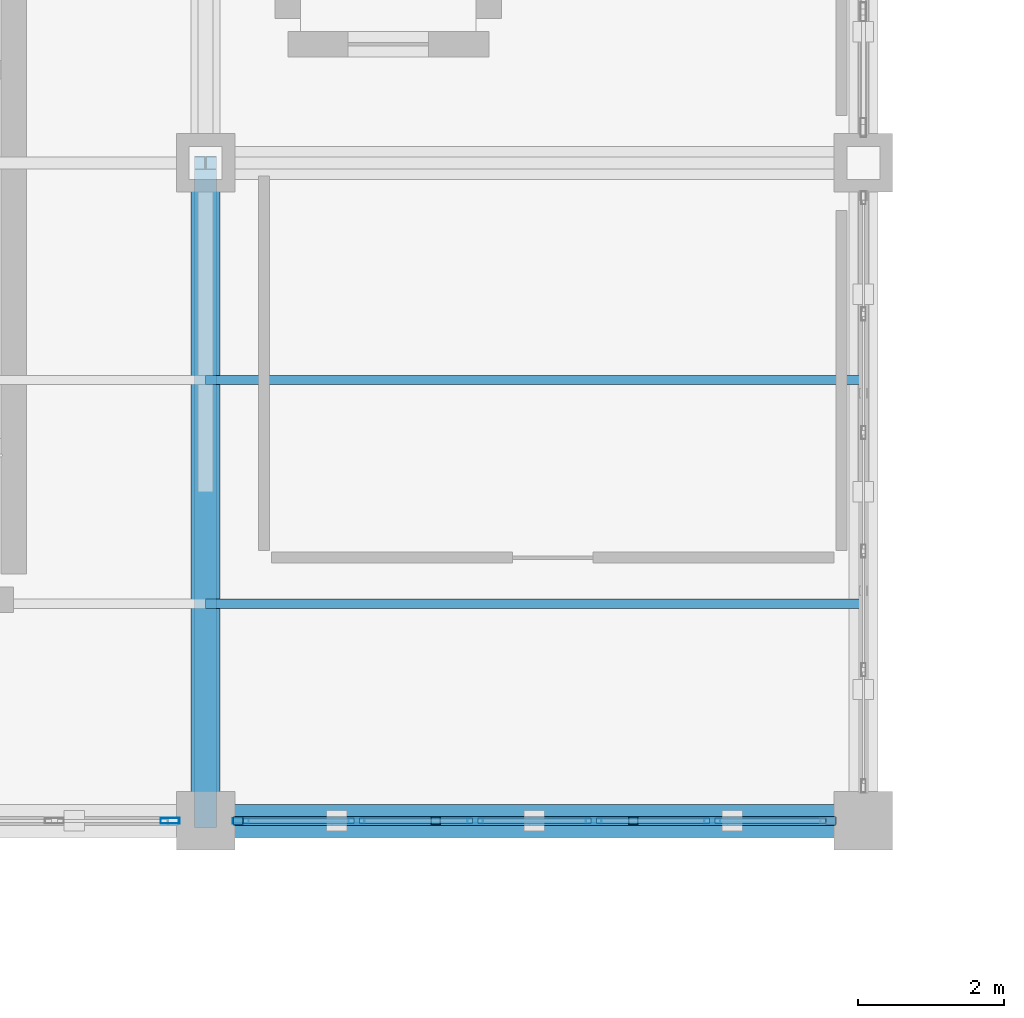
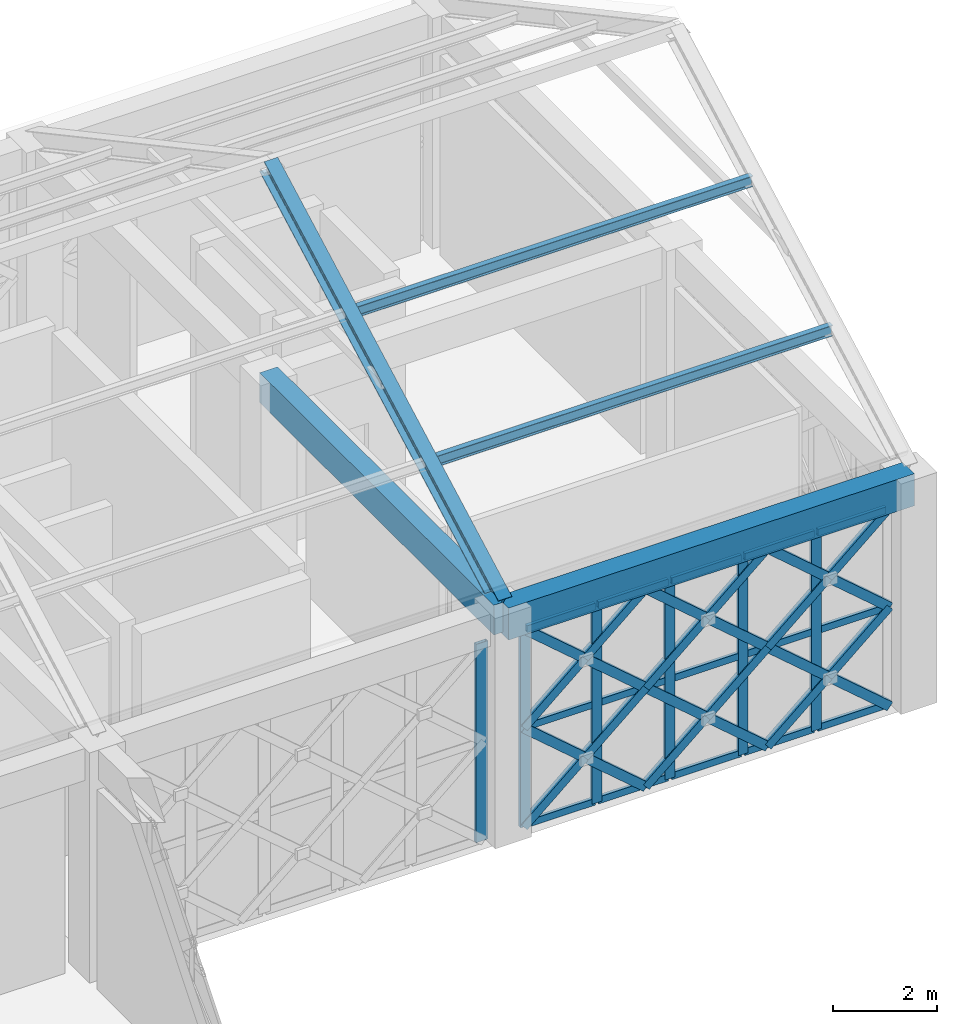
# One storey, part 53 of 86: 42 members, 2 beams, 2 elements without a shape of their own.
"""IFC4 building model written with IfcOpenShell, lengths in metres."""

from ifc_helpers import new_model, si_unit, direction, frame, origin, origin_2d, place, context, subcontext, project, spatial, rectangle, hollow_rectangle, i_section, extrude, material, material_profile, profile_set, type_object, element, aggregate, save


model = new_model("IFC4")

# Units and contexts
model_context = context("Model", 3, precision=1e-05, world=origin(), true_north=direction((0.0, 1.0)))
body_context = subcontext(model_context, "Body", "Model", "MODEL_VIEW")
ifc_project = project(units=[si_unit("LENGTHUNIT", "METRE"), si_unit("AREAUNIT", "SQUARE_METRE"), si_unit("VOLUMEUNIT", "CUBIC_METRE"), si_unit("PLANEANGLEUNIT", "RADIAN"), si_unit("MASSUNIT", "GRAM", prefix="KILO")], contexts=[model_context])

# Site, building, storey
site_placement = place(None, origin())
site = spatial("IfcSite", under=ifc_project, at=site_placement, CompositionType="ELEMENT")
building_placement = place(site_placement, origin())
building = spatial("IfcBuilding", under=site, at=building_placement, Name="Haizhuo Lancet Aquarium", CompositionType="ELEMENT")
storey_placement = place(building_placement, frame((0.0, 0.0, 16.199951171875)))
storey = spatial("IfcBuildingStorey", under=building, at=storey_placement, Name="L03", CompositionType="ELEMENT", Elevation=16.199951171875)

# Beams
ifc_material_1 = material(Name="Concrete C40/50", Category="concrete")
ifc_material_profile_1 = material_profile(ifc_material_1, rectangle(XDim=0.39990234375, YDim=0.699951171875, at=origin_2d()), Name="RC-BM 400x700")
ifc_profile_set_1 = profile_set([ifc_material_profile_1], Name="Concrete C40/50")
beam_type_1 = type_object("IfcBeamType", Name="BM-RC-400x700", PredefinedType="BEAM", material=ifc_profile_set_1)
beam_1_placement = place(storey_placement, frame((63.0, -27.0, 5.050048828125), z_axis=(0.0, 1.0, 0.0), x_axis=(-1.0, 0.0, 0.0)))
element("IfcBeam", 1, at=beam_1_placement, inside=storey, type_object=beam_type_1, Name="L03 V3 primary girder BM-L03-V3-026", PredefinedType="BEAM", context=body_context, shape_type="SweptSolid", body=[
    extrude(rectangle(XDim=0.39990234375, YDim=0.699951171875, at=origin_2d()), origin(), (0.0, 0.0, 1.0), 9.0),
])
ifc_material_profile_2 = material_profile(ifc_material_1, rectangle(XDim=0.449951171875, YDim=0.75, at=origin_2d()), Name="RC-BM 450x750")
ifc_profile_set_2 = profile_set([ifc_material_profile_2], Name="Concrete C40/50")
beam_type_2 = type_object("IfcBeamType", Name="BM-RC-450x750", PredefinedType="BEAM", material=ifc_profile_set_2)
beam_2_placement = place(storey_placement, frame((63.0, -27.0, 5.025146484375), z_axis=(1.0, 0.0, 0.0), x_axis=(0.0, 1.0, 0.0)))
element("IfcBeam", 2, at=beam_2_placement, inside=storey, type_object=beam_type_2, Name="L03 V3 primary girder BM-L03-V3-027", PredefinedType="BEAM", context=body_context, shape_type="SweptSolid", body=[
    extrude(rectangle(XDim=0.449951171875, YDim=0.75, at=origin_2d()), origin(), (0.0, 0.0, 1.0), 9.0),
])

# Curtain wall, members
ifc_material_2 = material(Name="Aluminium 6063-T6", Category="aluminium")
curtain_wall_type = type_object("IfcCurtainWallType", Name="CWO-8110x4650", PredefinedType="NOTDEFINED", material=ifc_material_2)
curtain_wall_1_placement = place(storey_placement, origin())
curtain_wall_1 = element("IfcCurtainWall", 3, at=curtain_wall_1_placement, inside=storey, type_object=curtain_wall_type, Name="L03 curtain wall CW-V3-L03-074", PredefinedType="NOTDEFINED")
ifc_material_profile_3 = material_profile(ifc_material_2, hollow_rectangle(XDim=0.074951171875, YDim=0.219970703125, WallThickness=0.0048828125, at=origin_2d()), Name="ALU-M 75x220x5")
ifc_profile_set_3 = profile_set([ifc_material_profile_3], Name="Aluminium 6063-T6")
member_type_1 = type_object("IfcMemberType", Name="CW-MUL-2", PredefinedType="MULLION", material=ifc_profile_set_3)
member_1_placement = place(storey_placement, frame((69.93310546875, -27.0, 0.0), z_axis=(0.0, 0.0, 1.0), x_axis=(0.0, -1.0, 0.0)))
member_1 = element("IfcMember", 4, at=member_1_placement, type_object=member_type_1, Name="CWO-81x46 mullion 2", PredefinedType="MULLION", context=body_context, shape_type="SweptSolid", body=[
    extrude(hollow_rectangle(XDim=0.074951171875, YDim=0.219970703125, WallThickness=0.0048828125, at=origin_2d()), origin(), (0.0, 0.0, 1.0), 4.650146484375),
])
member_2_placement = place(storey_placement, frame((68.31103515625, -27.0, 0.0), z_axis=(0.0, 0.0, 1.0), x_axis=(0.0, -1.0, 0.0)))
member_2 = element("IfcMember", 5, at=member_2_placement, type_object=member_type_1, Name="CWO-81x46 mullion 3", PredefinedType="MULLION", context=body_context, shape_type="SweptSolid", body=[
    extrude(hollow_rectangle(XDim=0.074951171875, YDim=0.219970703125, WallThickness=0.0048828125, at=origin_2d()), origin(), (0.0, 0.0, 1.0), 4.650146484375),
])
member_3_placement = place(storey_placement, frame((66.68896484375, -27.0, 0.0), z_axis=(0.0, 0.0, 1.0), x_axis=(0.0, -1.0, 0.0)))
member_3 = element("IfcMember", 6, at=member_3_placement, type_object=member_type_1, Name="CWO-81x46 mullion 4", PredefinedType="MULLION", context=body_context, shape_type="SweptSolid", body=[
    extrude(hollow_rectangle(XDim=0.074951171875, YDim=0.219970703125, WallThickness=0.0048828125, at=origin_2d()), origin(), (0.0, 0.0, 1.0), 4.650146484375),
])
member_4_placement = place(storey_placement, frame((65.06689453125, -27.0, 0.0), z_axis=(0.0, 0.0, 1.0), x_axis=(0.0, -1.0, 0.0)))
member_4 = element("IfcMember", 7, at=member_4_placement, type_object=member_type_1, Name="CWO-81x46 mullion 5", PredefinedType="MULLION", context=body_context, shape_type="SweptSolid", body=[
    extrude(hollow_rectangle(XDim=0.074951171875, YDim=0.219970703125, WallThickness=0.0048828125, at=origin_2d()), origin(), (0.0, 0.0, 1.0), 4.650146484375),
])
member_5_placement = place(storey_placement, frame((63.48291015625, -27.0, 0.0), z_axis=(0.0, 0.0, 1.0), x_axis=(0.0, -1.0, 0.0)))
member_5 = element("IfcMember", 8, at=member_5_placement, type_object=member_type_1, Name="CWO-81x46 mullion 6", PredefinedType="MULLION", context=body_context, shape_type="SweptSolid", body=[
    extrude(hollow_rectangle(XDim=0.074951171875, YDim=0.219970703125, WallThickness=0.0048828125, at=origin_2d()), origin(), (0.0, 0.0, 1.0), 4.650146484375),
])

# Curtain wall, member
curtain_wall_2_placement = place(storey_placement, origin())
curtain_wall_2 = element("IfcCurtainWall", 9, at=curtain_wall_2_placement, inside=storey, type_object=curtain_wall_type, Name="L03 curtain wall CW-V3-L03-075", PredefinedType="NOTDEFINED")
ifc_material_profile_4 = material_profile(ifc_material_2, hollow_rectangle(XDim=0.080078125, YDim=0.260009765625, WallThickness=0.0048828125, at=origin_2d()), Name="ALU-M 80x260x5")
ifc_profile_set_4 = profile_set([ifc_material_profile_4], Name="Aluminium 6063-T6")
member_type_2 = type_object("IfcMemberType", Name="CW-MUL-3", PredefinedType="MULLION", material=ifc_profile_set_4)
member_6_placement = place(storey_placement, frame((62.514892578125, -27.0, 0.0), z_axis=(0.0, 0.0, 1.0), x_axis=(0.0, -1.0, 0.0)))
member_6 = element("IfcMember", 10, at=member_6_placement, type_object=member_type_2, Name="CWO-81x46 mullion 1", PredefinedType="MULLION", context=body_context, shape_type="SweptSolid", body=[
    extrude(hollow_rectangle(XDim=0.080078125, YDim=0.260009765625, WallThickness=0.0048828125, at=origin_2d()), origin(), (0.0, 0.0, 1.0), 4.650146484375),
])
aggregate(curtain_wall_2, [member_6])

# Member
ifc_material_profile_5 = material_profile(ifc_material_2, hollow_rectangle(XDim=0.074951171875, YDim=0.159912109375, WallThickness=0.00390625, at=origin_2d()), Name="ALU-T 75x160x4")
ifc_profile_set_5 = profile_set([ifc_material_profile_5], Name="Aluminium 6063-T6")
member_type_3 = type_object("IfcMemberType", Name="CW-TRN-2", PredefinedType="NOTDEFINED", material=ifc_profile_set_5)
member_7_placement = place(storey_placement, frame((71.47998046875, -27.0, 0.0380859375), z_axis=(-1.0, 0.0, 0.0), x_axis=(0.0, -1.0, 0.0)))
member_7 = element("IfcMember", 11, at=member_7_placement, type_object=member_type_3, Name="CWO-81x46 transom 1.1", ObjectType="TRANSOM", PredefinedType="USERDEFINED", context=body_context, shape_type="SweptSolid", body=[
    extrude(hollow_rectangle(XDim=0.074951171875, YDim=0.159912109375, WallThickness=0.00390625, at=origin_2d()), origin(), (0.0, 0.0, 1.0), 1.509033203125),
])

member_8_placement = place(storey_placement, frame((71.47998046875, -27.0, 2.324951171875), z_axis=(-1.0, 0.0, 0.0), x_axis=(0.0, -1.0, 0.0)))
member_8 = element("IfcMember", 12, at=member_8_placement, type_object=member_type_3, Name="CWO-81x46 transom 1.2", ObjectType="TRANSOM", PredefinedType="USERDEFINED", context=body_context, shape_type="SweptSolid", body=[
    extrude(hollow_rectangle(XDim=0.074951171875, YDim=0.159912109375, WallThickness=0.00390625, at=origin_2d()), origin(), (0.0, 0.0, 1.0), 1.509033203125),
])

member_9_placement = place(storey_placement, frame((71.47998046875, -27.0, 4.612060546875), z_axis=(-1.0, 0.0, 0.0), x_axis=(0.0, -1.0, 0.0)))
member_9 = element("IfcMember", 13, at=member_9_placement, type_object=member_type_3, Name="CWO-81x46 transom 1.3", ObjectType="TRANSOM", PredefinedType="USERDEFINED", context=body_context, shape_type="SweptSolid", body=[
    extrude(hollow_rectangle(XDim=0.074951171875, YDim=0.159912109375, WallThickness=0.00390625, at=origin_2d()), origin(), (0.0, 0.0, 1.0), 1.509033203125),
])

member_10_placement = place(storey_placement, frame((69.89501953125, -27.0, 0.0380859375), z_axis=(-1.0, 0.0, 0.0), x_axis=(0.0, -1.0, 0.0)))
member_10 = element("IfcMember", 14, at=member_10_placement, type_object=member_type_3, Name="CWO-81x46 transom 2.1", ObjectType="TRANSOM", PredefinedType="USERDEFINED", context=body_context, shape_type="SweptSolid", body=[
    extrude(hollow_rectangle(XDim=0.074951171875, YDim=0.159912109375, WallThickness=0.00390625, at=origin_2d()), origin(), (0.0, 0.0, 1.0), 1.5458984375),
])

member_11_placement = place(storey_placement, frame((69.89501953125, -27.0, 2.324951171875), z_axis=(-1.0, 0.0, 0.0), x_axis=(0.0, -1.0, 0.0)))
member_11 = element("IfcMember", 15, at=member_11_placement, type_object=member_type_3, Name="CWO-81x46 transom 2.2", ObjectType="TRANSOM", PredefinedType="USERDEFINED", context=body_context, shape_type="SweptSolid", body=[
    extrude(hollow_rectangle(XDim=0.074951171875, YDim=0.159912109375, WallThickness=0.00390625, at=origin_2d()), origin(), (0.0, 0.0, 1.0), 1.5458984375),
])

member_12_placement = place(storey_placement, frame((69.89501953125, -27.0, 4.612060546875), z_axis=(-1.0, 0.0, 0.0), x_axis=(0.0, -1.0, 0.0)))
member_12 = element("IfcMember", 16, at=member_12_placement, type_object=member_type_3, Name="CWO-81x46 transom 2.3", ObjectType="TRANSOM", PredefinedType="USERDEFINED", context=body_context, shape_type="SweptSolid", body=[
    extrude(hollow_rectangle(XDim=0.074951171875, YDim=0.159912109375, WallThickness=0.00390625, at=origin_2d()), origin(), (0.0, 0.0, 1.0), 1.5458984375),
])

member_13_placement = place(storey_placement, frame((68.27294921875, -27.0, 0.0380859375), z_axis=(-1.0, 0.0, 0.0), x_axis=(0.0, -1.0, 0.0)))
member_13 = element("IfcMember", 17, at=member_13_placement, type_object=member_type_3, Name="CWO-81x46 transom 3.1", ObjectType="TRANSOM", PredefinedType="USERDEFINED", context=body_context, shape_type="SweptSolid", body=[
    extrude(hollow_rectangle(XDim=0.074951171875, YDim=0.159912109375, WallThickness=0.00390625, at=origin_2d()), origin(), (0.0, 0.0, 1.0), 1.5458984375),
])

member_14_placement = place(storey_placement, frame((68.27294921875, -27.0, 2.324951171875), z_axis=(-1.0, 0.0, 0.0), x_axis=(0.0, -1.0, 0.0)))
member_14 = element("IfcMember", 18, at=member_14_placement, type_object=member_type_3, Name="CWO-81x46 transom 3.2", ObjectType="TRANSOM", PredefinedType="USERDEFINED", context=body_context, shape_type="SweptSolid", body=[
    extrude(hollow_rectangle(XDim=0.074951171875, YDim=0.159912109375, WallThickness=0.00390625, at=origin_2d()), origin(), (0.0, 0.0, 1.0), 1.5458984375),
])

member_15_placement = place(storey_placement, frame((68.27294921875, -27.0, 4.612060546875), z_axis=(-1.0, 0.0, 0.0), x_axis=(0.0, -1.0, 0.0)))
member_15 = element("IfcMember", 19, at=member_15_placement, type_object=member_type_3, Name="CWO-81x46 transom 3.3", ObjectType="TRANSOM", PredefinedType="USERDEFINED", context=body_context, shape_type="SweptSolid", body=[
    extrude(hollow_rectangle(XDim=0.074951171875, YDim=0.159912109375, WallThickness=0.00390625, at=origin_2d()), origin(), (0.0, 0.0, 1.0), 1.5458984375),
])

member_16_placement = place(storey_placement, frame((66.65087890625, -27.0, 0.0380859375), z_axis=(-1.0, 0.0, 0.0), x_axis=(0.0, -1.0, 0.0)))
member_16 = element("IfcMember", 20, at=member_16_placement, type_object=member_type_3, Name="CWO-81x46 transom 4.1", ObjectType="TRANSOM", PredefinedType="USERDEFINED", context=body_context, shape_type="SweptSolid", body=[
    extrude(hollow_rectangle(XDim=0.074951171875, YDim=0.159912109375, WallThickness=0.00390625, at=origin_2d()), origin(), (0.0, 0.0, 1.0), 1.5458984375),
])

member_17_placement = place(storey_placement, frame((66.65087890625, -27.0, 2.324951171875), z_axis=(-1.0, 0.0, 0.0), x_axis=(0.0, -1.0, 0.0)))
member_17 = element("IfcMember", 21, at=member_17_placement, type_object=member_type_3, Name="CWO-81x46 transom 4.2", ObjectType="TRANSOM", PredefinedType="USERDEFINED", context=body_context, shape_type="SweptSolid", body=[
    extrude(hollow_rectangle(XDim=0.074951171875, YDim=0.159912109375, WallThickness=0.00390625, at=origin_2d()), origin(), (0.0, 0.0, 1.0), 1.5458984375),
])

member_18_placement = place(storey_placement, frame((66.65087890625, -27.0, 4.612060546875), z_axis=(-1.0, 0.0, 0.0), x_axis=(0.0, -1.0, 0.0)))
member_18 = element("IfcMember", 22, at=member_18_placement, type_object=member_type_3, Name="CWO-81x46 transom 4.3", ObjectType="TRANSOM", PredefinedType="USERDEFINED", context=body_context, shape_type="SweptSolid", body=[
    extrude(hollow_rectangle(XDim=0.074951171875, YDim=0.159912109375, WallThickness=0.00390625, at=origin_2d()), origin(), (0.0, 0.0, 1.0), 1.5458984375),
])

member_19_placement = place(storey_placement, frame((65.029052734375, -27.0, 0.0380859375), z_axis=(-1.0, 0.0, 0.0), x_axis=(0.0, -1.0, 0.0)))
member_19 = element("IfcMember", 23, at=member_19_placement, type_object=member_type_3, Name="CWO-81x46 transom 5.1", ObjectType="TRANSOM", PredefinedType="USERDEFINED", context=body_context, shape_type="SweptSolid", body=[
    extrude(hollow_rectangle(XDim=0.074951171875, YDim=0.159912109375, WallThickness=0.00390625, at=origin_2d()), origin(), (0.0, 0.0, 1.0), 1.509033203125),
])

member_20_placement = place(storey_placement, frame((65.029052734375, -27.0, 2.324951171875), z_axis=(-1.0, 0.0, 0.0), x_axis=(0.0, -1.0, 0.0)))
member_20 = element("IfcMember", 24, at=member_20_placement, type_object=member_type_3, Name="CWO-81x46 transom 5.2", ObjectType="TRANSOM", PredefinedType="USERDEFINED", context=body_context, shape_type="SweptSolid", body=[
    extrude(hollow_rectangle(XDim=0.074951171875, YDim=0.159912109375, WallThickness=0.00390625, at=origin_2d()), origin(), (0.0, 0.0, 1.0), 1.509033203125),
])

member_21_placement = place(storey_placement, frame((65.029052734375, -27.0, 4.612060546875), z_axis=(-1.0, 0.0, 0.0), x_axis=(0.0, -1.0, 0.0)))
member_21 = element("IfcMember", 25, at=member_21_placement, type_object=member_type_3, Name="CWO-81x46 transom 5.3", ObjectType="TRANSOM", PredefinedType="USERDEFINED", context=body_context, shape_type="SweptSolid", body=[
    extrude(hollow_rectangle(XDim=0.074951171875, YDim=0.159912109375, WallThickness=0.00390625, at=origin_2d()), origin(), (0.0, 0.0, 1.0), 1.509033203125),
])

aggregate(curtain_wall_1, [member_1, member_2, member_3, member_4, member_5, member_7, member_8, member_9, member_10, member_11, member_12, member_13, member_14, member_15, member_16, member_17, member_18, member_19, member_20, member_21])

# Members
ifc_material_3 = material(Name="Steel S355", Category="steel")
ifc_material_profile_6 = material_profile(ifc_material_3, hollow_rectangle(XDim=0.1201171875, YDim=0.199951171875, WallThickness=0.008056640625, at=origin_2d()), Name="RHS 120x200x8")
ifc_profile_set_6 = profile_set([ifc_material_profile_6], Name="Steel S355")
member_type_4 = type_object("IfcMemberType", Name="MEM-LB-RHS120x200", PredefinedType="BRACE", material=ifc_profile_set_6)
member_22_placement = place(storey_placement, frame((71.554931640625, -27.0, 0.0), z_axis=(-0.758119517235, 0.0, 0.652115632068), x_axis=(0.0, -1.0, 0.0)))
element("IfcMember", 26, at=member_22_placement, inside=storey, type_object=member_type_4, Name="Gothic lancet continuous diagonal brace CW-V3-L03-074 1A", PredefinedType="BRACE", context=body_context, shape_type="SweptSolid", body=[
    extrude(hollow_rectangle(XDim=0.1201171875, YDim=0.199951171875, WallThickness=0.008056640625, at=origin_2d()), origin(), (0.0, 0.0, 1.0), 3.565185546875),
])
member_23_placement = place(storey_placement, frame((68.85205078125, -27.0, 0.0), z_axis=(0.758366597375, 0.0, 0.651828277989), x_axis=(0.0, 1.0, 0.0)))
element("IfcMember", 27, at=member_23_placement, inside=storey, type_object=member_type_4, Name="Gothic lancet split diagonal brace CW-V3-L03-074 1B1", PredefinedType="BRACE", context=body_context, shape_type="SweptSolid", body=[
    extrude(hollow_rectangle(XDim=0.1201171875, YDim=0.199951171875, WallThickness=0.008056640625, at=origin_2d()), origin(), (0.0, 0.0, 1.0), 1.782958984375),
])
member_24_placement = place(storey_placement, frame((70.2041015625, -27.0, 1.162109375), z_axis=(0.757872266095, 0.0, 0.65240296465), x_axis=(0.0, 1.0, 0.0)))
element("IfcMember", 28, at=member_24_placement, inside=storey, type_object=member_type_4, Name="Gothic lancet split diagonal brace CW-V3-L03-074 1B2", PredefinedType="BRACE", context=body_context, shape_type="SweptSolid", body=[
    extrude(hollow_rectangle(XDim=0.1201171875, YDim=0.199951171875, WallThickness=0.008056640625, at=origin_2d()), origin(), (0.0, 0.0, 1.0), 1.782470703125),
])
member_25_placement = place(storey_placement, frame((71.554931640625, -27.0, 2.324951171875), z_axis=(-0.758085663481, 0.0, 0.652154986812), x_axis=(0.0, -1.0, 0.0)))
element("IfcMember", 29, at=member_25_placement, inside=storey, type_object=member_type_4, Name="Gothic lancet continuous diagonal brace CW-V3-L03-074 2A", PredefinedType="BRACE", context=body_context, shape_type="SweptSolid", body=[
    extrude(hollow_rectangle(XDim=0.1201171875, YDim=0.199951171875, WallThickness=0.008056640625, at=origin_2d()), origin(), (0.0, 0.0, 1.0), 3.5654296875),
])
member_26_placement = place(storey_placement, frame((68.85205078125, -27.0, 2.324951171875), z_axis=(0.75809585985, 0.0, 0.652143134042), x_axis=(0.0, 1.0, 0.0)))
element("IfcMember", 30, at=member_26_placement, inside=storey, type_object=member_type_4, Name="Gothic lancet split diagonal brace CW-V3-L03-074 2B1", PredefinedType="BRACE", context=body_context, shape_type="SweptSolid", body=[
    extrude(hollow_rectangle(XDim=0.1201171875, YDim=0.199951171875, WallThickness=0.008056640625, at=origin_2d()), origin(), (0.0, 0.0, 1.0), 1.783447265625),
])
member_27_placement = place(storey_placement, frame((70.2041015625, -27.0, 3.488037109375), z_axis=(0.758075457988, 0.0, 0.652166849814), x_axis=(0.0, 1.0, 0.0)))
element("IfcMember", 31, at=member_27_placement, inside=storey, type_object=member_type_4, Name="Gothic lancet split diagonal brace CW-V3-L03-074 2B2", PredefinedType="BRACE", context=body_context, shape_type="SweptSolid", body=[
    extrude(hollow_rectangle(XDim=0.1201171875, YDim=0.199951171875, WallThickness=0.008056640625, at=origin_2d()), origin(), (0.0, 0.0, 1.0), 1.781982421875),
])
member_28_placement = place(storey_placement, frame((68.85205078125, -27.0, 0.0), z_axis=(-0.758265063468, 0.0, 0.651946388535), x_axis=(0.0, -1.0, 0.0)))
element("IfcMember", 32, at=member_28_placement, inside=storey, type_object=member_type_4, Name="Gothic lancet continuous diagonal brace CW-V3-L03-074 3A", PredefinedType="BRACE", context=body_context, shape_type="SweptSolid", body=[
    extrude(hollow_rectangle(XDim=0.1201171875, YDim=0.199951171875, WallThickness=0.008056640625, at=origin_2d()), origin(), (0.0, 0.0, 1.0), 3.566162109375),
])
member_29_placement = place(storey_placement, frame((66.14794921875, -27.0, 0.0), z_axis=(0.758366597375, 0.0, 0.651828277989), x_axis=(0.0, 1.0, 0.0)))
element("IfcMember", 33, at=member_29_placement, inside=storey, type_object=member_type_4, Name="Gothic lancet split diagonal brace CW-V3-L03-074 3B1", PredefinedType="BRACE", context=body_context, shape_type="SweptSolid", body=[
    extrude(hollow_rectangle(XDim=0.1201171875, YDim=0.199951171875, WallThickness=0.008056640625, at=origin_2d()), origin(), (0.0, 0.0, 1.0), 1.782958984375),
])
member_30_placement = place(storey_placement, frame((67.5, -27.0, 1.162109375), z_axis=(0.758163538361, 0.0, 0.652064451646), x_axis=(0.0, 1.0, 0.0)))
element("IfcMember", 34, at=member_30_placement, inside=storey, type_object=member_type_4, Name="Gothic lancet split diagonal brace CW-V3-L03-074 3B2", PredefinedType="BRACE", context=body_context, shape_type="SweptSolid", body=[
    extrude(hollow_rectangle(XDim=0.1201171875, YDim=0.199951171875, WallThickness=0.008056640625, at=origin_2d()), origin(), (0.0, 0.0, 1.0), 1.783203125),
])
member_31_placement = place(storey_placement, frame((68.85205078125, -27.0, 2.324951171875), z_axis=(-0.758231220788, 0.0, 0.651985748175), x_axis=(0.0, -1.0, 0.0)))
element("IfcMember", 35, at=member_31_placement, inside=storey, type_object=member_type_4, Name="Gothic lancet continuous diagonal brace CW-V3-L03-074 4A", PredefinedType="BRACE", context=body_context, shape_type="SweptSolid", body=[
    extrude(hollow_rectangle(XDim=0.1201171875, YDim=0.199951171875, WallThickness=0.008056640625, at=origin_2d()), origin(), (0.0, 0.0, 1.0), 3.56640625),
])
member_32_placement = place(storey_placement, frame((66.14794921875, -27.0, 2.324951171875), z_axis=(0.75809585985, 0.0, 0.652143134042), x_axis=(0.0, 1.0, 0.0)))
element("IfcMember", 36, at=member_32_placement, inside=storey, type_object=member_type_4, Name="Gothic lancet split diagonal brace CW-V3-L03-074 4B1", PredefinedType="BRACE", context=body_context, shape_type="SweptSolid", body=[
    extrude(hollow_rectangle(XDim=0.1201171875, YDim=0.199951171875, WallThickness=0.008056640625, at=origin_2d()), origin(), (0.0, 0.0, 1.0), 1.783447265625),
])
member_33_placement = place(storey_placement, frame((67.5, -27.0, 3.488037109375), z_axis=(0.758366597375, 0.0, 0.651828277989), x_axis=(0.0, 1.0, 0.0)))
element("IfcMember", 37, at=member_33_placement, inside=storey, type_object=member_type_4, Name="Gothic lancet split diagonal brace CW-V3-L03-074 4B2", PredefinedType="BRACE", context=body_context, shape_type="SweptSolid", body=[
    extrude(hollow_rectangle(XDim=0.1201171875, YDim=0.199951171875, WallThickness=0.008056640625, at=origin_2d()), origin(), (0.0, 0.0, 1.0), 1.782958984375),
])
member_34_placement = place(storey_placement, frame((66.14794921875, -27.0, 0.0), z_axis=(-0.758119517235, 0.0, 0.652115632068), x_axis=(0.0, -1.0, 0.0)))
element("IfcMember", 38, at=member_34_placement, inside=storey, type_object=member_type_4, Name="Gothic lancet continuous diagonal brace CW-V3-L03-074 5A", PredefinedType="BRACE", context=body_context, shape_type="SweptSolid", body=[
    extrude(hollow_rectangle(XDim=0.1201171875, YDim=0.199951171875, WallThickness=0.008056640625, at=origin_2d()), origin(), (0.0, 0.0, 1.0), 3.565185546875),
])
member_35_placement = place(storey_placement, frame((63.445068359375, -27.0, 0.0), z_axis=(0.758075457988, 0.0, 0.652166849814), x_axis=(0.0, 1.0, 0.0)))
element("IfcMember", 39, at=member_35_placement, inside=storey, type_object=member_type_4, Name="Gothic lancet split diagonal brace CW-V3-L03-074 5B1", PredefinedType="BRACE", context=body_context, shape_type="SweptSolid", body=[
    extrude(hollow_rectangle(XDim=0.1201171875, YDim=0.199951171875, WallThickness=0.008056640625, at=origin_2d()), origin(), (0.0, 0.0, 1.0), 1.781982421875),
])
member_36_placement = place(storey_placement, frame((64.7958984375, -27.0, 1.162109375), z_axis=(0.758163538361, 0.0, 0.652064451646), x_axis=(0.0, 1.0, 0.0)))
element("IfcMember", 40, at=member_36_placement, inside=storey, type_object=member_type_4, Name="Gothic lancet split diagonal brace CW-V3-L03-074 5B2", PredefinedType="BRACE", context=body_context, shape_type="SweptSolid", body=[
    extrude(hollow_rectangle(XDim=0.1201171875, YDim=0.199951171875, WallThickness=0.008056640625, at=origin_2d()), origin(), (0.0, 0.0, 1.0), 1.783203125),
])
member_37_placement = place(storey_placement, frame((66.14794921875, -27.0, 2.324951171875), z_axis=(-0.758085663481, 0.0, 0.652154986812), x_axis=(0.0, -1.0, 0.0)))
element("IfcMember", 41, at=member_37_placement, inside=storey, type_object=member_type_4, Name="Gothic lancet continuous diagonal brace CW-V3-L03-074 6A", PredefinedType="BRACE", context=body_context, shape_type="SweptSolid", body=[
    extrude(hollow_rectangle(XDim=0.1201171875, YDim=0.199951171875, WallThickness=0.008056640625, at=origin_2d()), origin(), (0.0, 0.0, 1.0), 3.5654296875),
])
member_38_placement = place(storey_placement, frame((63.445068359375, -27.0, 2.324951171875), z_axis=(0.757804543333, 0.0, 0.652481627407), x_axis=(0.0, 1.0, 0.0)))
element("IfcMember", 42, at=member_38_placement, inside=storey, type_object=member_type_4, Name="Gothic lancet split diagonal brace CW-V3-L03-074 6B1", PredefinedType="BRACE", context=body_context, shape_type="SweptSolid", body=[
    extrude(hollow_rectangle(XDim=0.1201171875, YDim=0.199951171875, WallThickness=0.008056640625, at=origin_2d()), origin(), (0.0, 0.0, 1.0), 1.782470703125),
])
member_39_placement = place(storey_placement, frame((64.7958984375, -27.0, 3.488037109375), z_axis=(0.758366597375, 0.0, 0.651828277989), x_axis=(0.0, 1.0, 0.0)))
element("IfcMember", 43, at=member_39_placement, inside=storey, type_object=member_type_4, Name="Gothic lancet split diagonal brace CW-V3-L03-074 6B2", PredefinedType="BRACE", context=body_context, shape_type="SweptSolid", body=[
    extrude(hollow_rectangle(XDim=0.1201171875, YDim=0.199951171875, WallThickness=0.008056640625, at=origin_2d()), origin(), (0.0, 0.0, 1.0), 1.782958984375),
])
ifc_material_profile_7 = material_profile(ifc_material_3, i_section(OverallWidth=0.125, OverallDepth=0.25, WebThickness=0.006103515625, FlangeThickness=0.009033203125, FilletRadius=0.010009765625, at=origin_2d()), Name="HN 250x125x6x9")
ifc_profile_set_7 = profile_set([ifc_material_profile_7], Name="Steel S355")
member_type_5 = type_object("IfcMemberType", Name="MEM-PR-HN250", PredefinedType="PURLIN", material=ifc_profile_set_7)
for number, where, z_axis, x_axis, name in (
    (44, (63.0, -24.030029296875, 6.859130859375), (1.0, 0.0, 0.0), (0.0, 1.0, 0.0), "V3 south roof purlin 5"),
    (45, (63.0, -20.969970703125, 8.507080078125), (1.0, 0.0, 0.0), (0.0, 1.0, 0.0), "V3 south roof purlin 5"),
):
    element("IfcMember", number, at=place(storey_placement, frame(where, z_axis=z_axis, x_axis=x_axis)), inside=storey, type_object=member_type_5, Name=name, PredefinedType="PURLIN", context=body_context, shape_type="SweptSolid", body=[
        extrude(i_section(OverallWidth=0.125, OverallDepth=0.25, WebThickness=0.006103515625, FlangeThickness=0.009033203125, FilletRadius=0.010009765625, at=origin_2d()), origin(), (0.0, 0.0, 1.0), 9.0),
    ])
ifc_material_profile_8 = material_profile(ifc_material_3, i_section(OverallWidth=0.300048828125, OverallDepth=0.389892578125, WebThickness=0.010009765625, FlangeThickness=0.01611328125, FilletRadius=0.02001953125, at=origin_2d()), Name="HM 390x300x10x16")
ifc_profile_set_8 = profile_set([ifc_material_profile_8], Name="Steel S355")
member_type_6 = type_object("IfcMemberType", Name="MEM-RF-HM390", PredefinedType="RAFTER", material=ifc_profile_set_8)
member_40_placement = place(storey_placement, frame((63.0, -27.0, 5.3701171875), z_axis=(0.0, 0.880479536064, 0.474084155581), x_axis=(-1.0, 0.0, 0.0)))
element("IfcMember", 46, at=member_40_placement, inside=storey, type_object=member_type_6, Name="V3 Gothic pitched roof south rafter 5", PredefinedType="RAFTER", context=body_context, shape_type="SweptSolid", body=[
    extrude(i_section(OverallWidth=0.300048828125, OverallDepth=0.389892578125, WebThickness=0.010009765625, FlangeThickness=0.01611328125, FilletRadius=0.02001953125, at=origin_2d()), origin(), (0.0, 0.0, 1.0), 10.2216796875),
])

save(model, "model.ifc")
